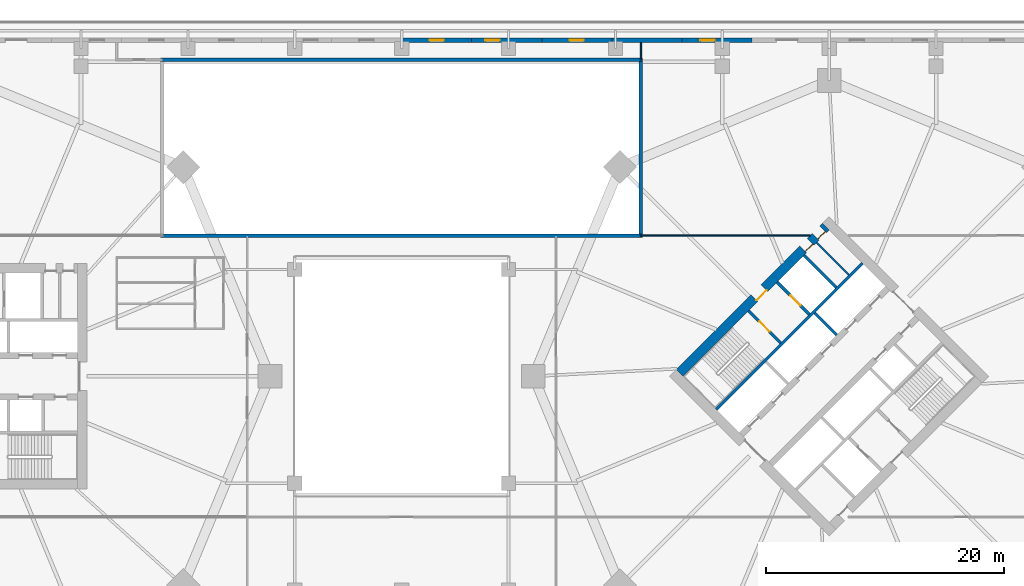
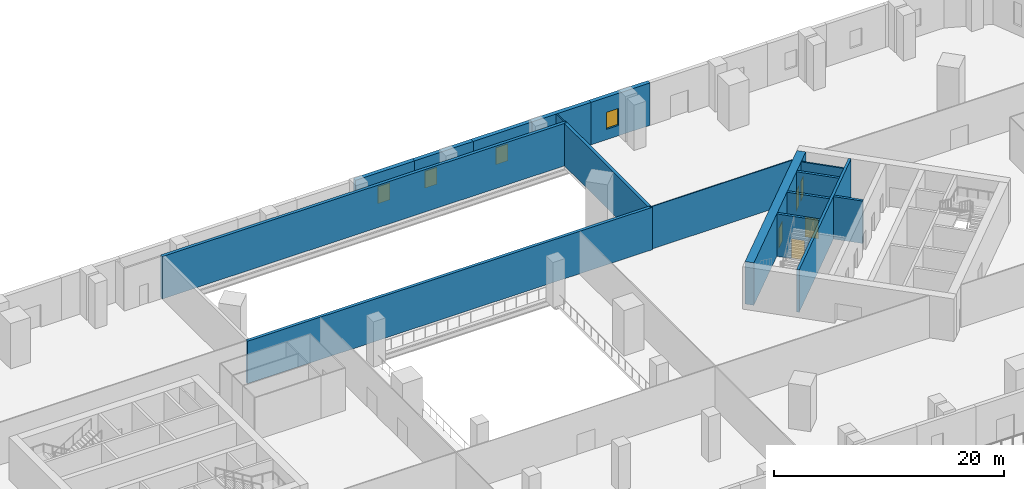
# One storey, part 10 of 17: 17 walls, 5 doors, 4 windows, 9 openings.
"""IFC4 building model written with IfcOpenShell, lengths in metres."""

import ifcopenshell
import ifcopenshell.guid

model = None  # the IFC model being written
_history = None  # IfcOwnerHistory: only IFC2X3 demands one
_inside = {}  # id of a spatial element -> (the spatial element, [elements in it])
_under = {}  # id of a project, library or spatial element -> (it, [spatial elements below it])
_declared = {}  # id of a project -> (the project, [libraries it declares])
_typed = {}  # id of a type object -> (the type object, [elements of that type])
_made_of = {}  # id of a material, layer set ... -> (it, [elements and type objects made of it])


def new_model(schema):
    """Start an empty IFC model of exactly this schema.

    Asked for "IFC4X3", IfcOpenShell would pick the latest addendum, in which some entities
    have other attributes; the version numbers below select the first issue.
    IFC2X3 requires an IfcOwnerHistory on every rooted entity: one is made here for all.
    """
    global model, _history
    if schema == "IFC4X3":
        model = ifcopenshell.file(schema_version=(4, 3, 0, 0))
    else:
        model = ifcopenshell.file(schema=schema)
    _inside.clear()
    _under.clear()
    _declared.clear()
    _typed.clear()
    _made_of.clear()
    _history = None
    if model.schema == "IFC2X3":
        org = make("IfcOrganization", Name="unknown")
        user = make(
            "IfcPersonAndOrganization",
            ThePerson=make("IfcPerson", FamilyName="unknown"),
            TheOrganization=org,
        )
        app = make(
            "IfcApplication",
            ApplicationDeveloper=org,
            Version="unknown",
            ApplicationFullName="unknown",
            ApplicationIdentifier="unknown",
        )
        _history = make(
            "IfcOwnerHistory",
            OwningUser=user,
            OwningApplication=app,
            ChangeAction="ADDED",
            CreationDate=0,
        )
    return model


def make(cls, **values):
    """One entity of the class cls with the attributes given. An attribute that is None is left unset."""
    return model.create_entity(
        cls, **{name: value for name, value in values.items() if value is not None}
    )


def rooted(cls, **values):
    """An entity with a GlobalId (a new one), such as an element, a storey or a relation."""
    return make(cls, GlobalId=ifcopenshell.guid.new(), OwnerHistory=_history, **values)


def si_unit(unit_type, name, prefix=None):
    """IfcSIUnit, for example si_unit("LENGTHUNIT", "METRE", prefix="MILLI")."""
    return make("IfcSIUnit", UnitType=unit_type, Prefix=prefix, Name=name)


def assignment(units):
    """IfcUnitAssignment: the units of a project."""
    return None if units is None else make("IfcUnitAssignment", Units=units)


def point(xyz):
    """IfcCartesianPoint."""
    return None if xyz is None else make("IfcCartesianPoint", Coordinates=xyz)


def direction(xyz):
    """IfcDirection."""
    return None if xyz is None else make("IfcDirection", DirectionRatios=xyz)


def frame(location, z_axis=None, x_axis=None):
    """IfcAxis2Placement3D, a coordinate frame: its origin and axes. An axis left out is left unset."""
    return make(
        "IfcAxis2Placement3D",
        Location=point(location),
        Axis=direction(z_axis),
        RefDirection=direction(x_axis),
    )


def frame_2d(location, x_axis=None):
    """IfcAxis2Placement2D, a coordinate frame in the plane: its origin and x axis."""
    return make(
        "IfcAxis2Placement2D", Location=point(location), RefDirection=direction(x_axis)
    )


def origin():
    """The frame at (0, 0, 0) with its axes left unset."""
    return frame((0.0, 0.0, 0.0))


def place(relative_to, where):
    """IfcLocalPlacement: puts the frame where relative to a parent placement (None: the world)."""
    return make(
        "IfcLocalPlacement", PlacementRelTo=relative_to, RelativePlacement=where
    )


def context(
    kind, dimensions, precision=None, world=None, true_north=None, identifier=None
):
    """IfcGeometricRepresentationContext, for example the 3D "Model" context."""
    return make(
        "IfcGeometricRepresentationContext",
        ContextIdentifier=identifier,
        ContextType=kind,
        CoordinateSpaceDimension=dimensions,
        Precision=precision,
        WorldCoordinateSystem=world,
        TrueNorth=true_north,
    )


def subcontext(parent, identifier, kind, view, scale=None):
    """IfcGeometricRepresentationSubContext, for example "Body" below "Model"."""
    return make(
        "IfcGeometricRepresentationSubContext",
        ContextIdentifier=identifier,
        ContextType=kind,
        ParentContext=parent,
        TargetScale=scale,
        TargetView=view,
    )


def project(units=None, contexts=None):
    """IfcProject with its units and contexts."""
    return rooted(
        "IfcProject",
        Name="project",
        RepresentationContexts=contexts,
        UnitsInContext=assignment(units),
    )


def spatial(cls, under=None, at=None, **own):
    """A site, building, storey or space (cls), placed at a placement, below another one or the project."""
    s = rooted(cls, ObjectPlacement=at, **own)
    if under is not None:
        _under.setdefault(under.id(), (under, []))[1].append(s)
    return s


def profile(cls, at=None, kind="AREA", **sizes):
    """A parametric profile (cls). Its sizes go by their IFC names, for example OverallWidth=200.0."""
    return make(cls, ProfileType=kind, Position=at, **sizes)


def rectangle(**sizes):
    """IfcRectangleProfileDef."""
    return profile("IfcRectangleProfileDef", **sizes)


def extrude(swept, where, along, depth):
    """IfcExtrudedAreaSolid: the profile swept, set in the frame where, extruded along a direction by depth."""
    return make(
        "IfcExtrudedAreaSolid",
        SweptArea=swept,
        Position=where,
        ExtrudedDirection=direction(along),
        Depth=depth,
    )


def shape(context_of_items, identifier, shape_type, items):
    """IfcShapeRepresentation: the items that make up one representation, for example the "Body"."""
    return make(
        "IfcShapeRepresentation",
        ContextOfItems=context_of_items,
        RepresentationIdentifier=identifier,
        RepresentationType=shape_type,
        Items=items,
    )


def material(Name=None, Category=None):
    """IfcMaterial."""
    return make("IfcMaterial", Name=Name, Category=Category)


def layer(
    of_material, thickness, ventilated=None, Name=None, Category=None, Priority=None
):
    """IfcMaterialLayer: one layer of a wall or slab, of a material (None: an air gap)."""
    return make(
        "IfcMaterialLayer",
        Material=of_material,
        LayerThickness=thickness,
        IsVentilated=ventilated,
        Name=Name,
        Category=Category,
        Priority=Priority,
    )


def layer_set(layers, Name=None):
    """IfcMaterialLayerSet."""
    return make("IfcMaterialLayerSet", MaterialLayers=layers, LayerSetName=Name)


def made_of(thing, what):
    """Note that an element or type object is made of a material, layer set ...; save() writes the relation."""
    if what is not None:
        _made_of.setdefault(what.id(), (what, []))[1].append(thing)
    return thing


def type_object(cls, material=None, **own):
    """A type object (cls), such as IfcWallType, which elements share."""
    return made_of(rooted(cls, **own), material)


def element(
    cls,
    number,
    at=None,
    inside=None,
    cuts=None,
    type_object=None,
    material=None,
    context=None,
    identifier="Body",
    shape_type=None,
    held_by="IfcProductDefinitionShape",
    body=None,
    shapes=None,
    **own,
):
    """One element of the class cls, such as IfcWall. Its Tag is "e" and its number.

    at: its placement. inside: the storey or other place that contains it. cuts: it is an
    opening in that element (IfcRelVoidsElement). A single representation is given by context,
    identifier, shape_type and body (its items); several are given by shapes. held_by: the class
    of the entity that holds the representations. save() writes the other relations.
    """
    e = rooted(cls, Tag="e%d" % number, ObjectPlacement=at, **own)
    if body is not None:
        shapes = [shape(context, identifier, shape_type, body)]
    if shapes is not None:
        e.Representation = make(held_by, Representations=shapes)
    if inside is not None:
        _inside.setdefault(inside.id(), (inside, []))[1].append(e)
    if cuts is not None:
        rooted(
            "IfcRelVoidsElement", RelatingBuildingElement=cuts, RelatedOpeningElement=e
        )
    if type_object is not None:
        _typed.setdefault(type_object.id(), (type_object, []))[1].append(e)
    return made_of(e, material)


def fill(opening, filler):
    """IfcRelFillsElement: the door or window that sits in an opening."""
    return rooted(
        "IfcRelFillsElement",
        RelatingOpeningElement=opening,
        RelatedBuildingElement=filler,
    )


def aggregate(whole, parts):
    """IfcRelAggregates: a whole, such as a stair, and the parts it consists of."""
    return rooted("IfcRelAggregates", RelatingObject=whole, RelatedObjects=parts)


def save(model, path):
    """Write the relations noted so far, then the file.

    IfcRelAggregates (storeys below a building ...), IfcRelContainedInSpatialStructure (elements
    in a storey), IfcRelDefinesByType, IfcRelAssociatesMaterial and IfcRelDeclares: one each for
    every whole, place, type object, material and project.
    """
    for whole, parts in _under.values():
        aggregate(whole, parts)
    for where, things in _inside.values():
        rooted(
            "IfcRelContainedInSpatialStructure",
            RelatedElements=things,
            RelatingStructure=where,
        )
    for kind, things in _typed.values():
        rooted("IfcRelDefinesByType", RelatedObjects=things, RelatingType=kind)
    for what, things in _made_of.values():
        rooted("IfcRelAssociatesMaterial", RelatedObjects=things, RelatingMaterial=what)
    for by, libraries in _declared.values():
        rooted("IfcRelDeclares", RelatingContext=by, RelatedDefinitions=libraries)
    model.write(path)


model = new_model("IFC4")

# Units and contexts
model_context = context("Model", 3, precision=1e-05, world=origin(), true_north=direction((0.0, 1.0)))
body_context = subcontext(model_context, "Body", "Model", "MODEL_VIEW")
ifc_project = project(units=[si_unit("LENGTHUNIT", "METRE"), si_unit("AREAUNIT", "SQUARE_METRE"), si_unit("VOLUMEUNIT", "CUBIC_METRE"), si_unit("PLANEANGLEUNIT", "RADIAN"), si_unit("MASSUNIT", "GRAM", prefix="KILO")], contexts=[model_context])

# Site, building, storey
site_placement = place(None, origin())
site = spatial("IfcSite", under=ifc_project, at=site_placement, CompositionType="ELEMENT")
building_placement = place(site_placement, origin())
building = spatial("IfcBuilding", under=site, at=building_placement, Name="Ogive Gate Towers", CompositionType="ELEMENT")
storey_placement = place(building_placement, frame((0.0, 0.0, 18.0)))
storey = spatial("IfcBuildingStorey", under=building, at=storey_placement, Name="L03", CompositionType="ELEMENT", Elevation=18.0)

# Wall, openings, doors
ifc_material_1 = material(Name="Concrete C60/75", Category="concrete")
ifc_layer_1 = layer(ifc_material_1, 0.800048828125)
ifc_layer_set_1 = layer_set([ifc_layer_1], Name="Core wall 800 mm")
wall_type_1 = type_object("IfcWallType", Name="Core wall 800 mm", PredefinedType="SHEAR", material=ifc_layer_set_1)
wall_1_placement = place(storey_placement, frame((23.41357421875, 0.28271484375, 0.0), z_axis=(0.0, 0.0, 1.0), x_axis=(0.707106781187, 0.707106781187, 0.0)))
wall_1 = element("IfcWall", 1, at=wall_1_placement, inside=storey, type_object=wall_type_1, Name="T2 L03 Core wall 800 mm", PredefinedType="SHEAR", context=body_context, shape_type="SweptSolid", body=[
    extrude(rectangle(XDim=17.400146484375, YDim=0.800048828125, at=frame_2d((8.7001953125, 0.0))), origin(), (0.0, 0.0, 1.0), 4.5),
])
opening_1_placement = place(wall_1_placement, frame((8.89990234375, 0.0, 0.0)))
opening_1 = element("IfcOpeningElement", 2, at=opening_1_placement, cuts=wall_1, Name="Opening KD-T2-L03-15", PredefinedType="OPENING", context=body_context, shape_type="SweptSolid", body=[
    extrude(rectangle(XDim=1.199951171875, YDim=2.10009765625, at=frame_2d((0.60009765625, 1.050048828125))), frame((0.0, 0.41015625, 0.0), z_axis=(0.0, -1.0, 0.0), x_axis=(1.0, 0.0, 0.0)), (0.0, 0.0, 1.0), 0.820068359375),
])
opening_2_placement = place(wall_1_placement, frame((14.699951171875, 0.0, 0.0)))
opening_2 = element("IfcOpeningElement", 3, at=opening_2_placement, cuts=wall_1, Name="Opening KD-T2-L03-17", PredefinedType="OPENING", context=body_context, shape_type="SweptSolid", body=[
    extrude(rectangle(XDim=0.89990234375, YDim=2.10009765625, at=frame_2d((0.449951171875, 1.050048828125))), frame((0.0, 0.41015625, 0.0), z_axis=(0.0, -1.0, 0.0), x_axis=(1.0, 0.0, 0.0)), (0.0, 0.0, 1.0), 0.820068359375),
])
opening_3_placement = place(wall_1_placement, frame((16.199951171875, 0.0, 0.0)))
opening_3 = element("IfcOpeningElement", 4, at=opening_3_placement, cuts=wall_1, Name="Opening KD-T2-L03-18", PredefinedType="OPENING", context=body_context, shape_type="SweptSolid", body=[
    extrude(rectangle(XDim=0.89990234375, YDim=2.10009765625, at=frame_2d((0.449951171875, 1.050048828125))), frame((0.0, 0.41015625, 0.0), z_axis=(0.0, -1.0, 0.0), x_axis=(1.0, 0.0, 0.0)), (0.0, 0.0, 1.0), 0.820068359375),
])
ifc_material_2 = material(Name="Timber door", Category="wood")
door_type_1 = type_object("IfcDoorType", Name="Core WC door 900 x 2100", OperationType="NOTDEFINED", PredefinedType="DOOR", material=ifc_material_2)
door_1_placement = place(opening_2_placement, origin())
door_1 = element("IfcDoor", 5, at=door_1_placement, inside=storey, type_object=door_type_1, Name="T2 L03 Core door", OperationType="SINGLE_SWING_RIGHT", OverallHeight=2.10009765625, OverallWidth=0.89990234375, PredefinedType="DOOR", context=body_context, shape_type="SweptSolid", body=[
    extrude(rectangle(XDim=0.89990234375, YDim=2.10009765625, at=frame_2d((0.449951171875, 1.050048828125))), frame((0.0, -0.22509765625, 0.0), z_axis=(0.0, -1.0, 0.0), x_axis=(1.0, 0.0, 0.0)), (0.0, 0.0, 1.0), 0.050048828125),
])
fill(opening_2, door_1)
door_2_placement = place(opening_3_placement, origin())
door_2 = element("IfcDoor", 6, at=door_2_placement, inside=storey, type_object=door_type_1, Name="T2 L03 Core door", OperationType="SINGLE_SWING_LEFT", OverallHeight=2.10009765625, OverallWidth=0.89990234375, PredefinedType="DOOR", context=body_context, shape_type="SweptSolid", body=[
    extrude(rectangle(XDim=0.89990234375, YDim=2.10009765625, at=frame_2d((0.449951171875, 1.050048828125))), frame((0.0, -0.22509765625, 0.0), z_axis=(0.0, -1.0, 0.0), x_axis=(1.0, 0.0, 0.0)), (0.0, 0.0, 1.0), 0.050048828125),
])
fill(opening_3, door_2)
ifc_material_3 = material(Name="Steel fire door", Category="steel")
door_type_2 = type_object("IfcDoorType", Name="Core door FD60S 1200 x 2100", OperationType="NOTDEFINED", PredefinedType="DOOR", material=ifc_material_3)
door_3_placement = place(opening_1_placement, origin())
door_3 = element("IfcDoor", 7, at=door_3_placement, inside=storey, type_object=door_type_2, Name="T2 L03 Fire-fighting lobby door", OperationType="SINGLE_SWING_RIGHT", OverallHeight=2.10009765625, OverallWidth=1.199951171875, PredefinedType="DOOR", context=body_context, shape_type="SweptSolid", body=[
    extrude(rectangle(XDim=1.199951171875, YDim=2.10009765625, at=frame_2d((0.60009765625, 1.050048828125))), frame((0.0, -0.22509765625, 0.0), z_axis=(0.0, -1.0, 0.0), x_axis=(1.0, 0.0, 0.0)), (0.0, 0.0, 1.0), 0.050048828125),
])
fill(opening_1, door_3)

# Walls
ifc_material_4 = material(Name="Gypsum board partition")
ifc_layer_2 = layer(ifc_material_4, 0.10009765625)
ifc_layer_set_2 = layer_set([ifc_layer_2], Name="Partition wall 100")
wall_type_2 = type_object("IfcWallType", Name="Partition wall 100", PredefinedType="PARTITIONING", material=ifc_layer_set_2)
wall_2_placement = place(storey_placement, frame((20.14990234375, 26.64990234375, 0.0), z_axis=(0.0, 0.0, 1.0), x_axis=(0.0, 1.0, 0.0)))
element("IfcWall", 8, at=wall_2_placement, inside=storey, type_object=wall_type_2, Name="L03 partition 019", PredefinedType="PARTITIONING", context=body_context, shape_type="SweptSolid", body=[
    extrude(rectangle(XDim=1.4501953125, YDim=0.10009765625, at=frame_2d((0.72509765625, 0.0))), origin(), (0.0, 0.0, 1.0), 4.5),
])
wall_3_placement = place(storey_placement, frame((20.10009765625, 11.85009765625, 0.0), z_axis=(0.0, 0.0, 1.0), x_axis=(1.0, 0.0, 0.0)))
element("IfcWall", 9, at=wall_3_placement, inside=storey, type_object=wall_type_2, Name="L03 partition 022", PredefinedType="PARTITIONING", context=body_context, shape_type="SweptSolid", body=[
    extrude(rectangle(XDim=14.31494140625, YDim=0.10009765625, at=frame_2d((7.157470703125, 0.0))), origin(), (0.0, 0.0, 1.0), 4.5),
])
ifc_material_5 = material(Name="Acoustic masonry wall", Category="masonry")
ifc_layer_3 = layer(ifc_material_5, 0.300048828125)
ifc_layer_set_3 = layer_set([ifc_layer_3], Name="Partition wall 300")
wall_type_3 = type_object("IfcWallType", Name="Partition wall 300", PredefinedType="PARTITIONING", material=ifc_layer_set_3)
for number, where, z_axis, x_axis, name in (
    (10, (-20.300048828125, 11.85009765625, 0.0), (0.0, 0.0, 1.0), (1.0, 0.0, 0.0), "L03 wall 052"),
    (11, (-20.300048828125, 26.64990234375, 0.0), (0.0, 0.0, 1.0), (1.0, 0.0, 0.0), "L03 wall 053"),
):
    element("IfcWall", number, at=place(storey_placement, frame(where, z_axis=z_axis, x_axis=x_axis)), inside=storey, type_object=wall_type_3, Name=name, PredefinedType="PARTITIONING", context=body_context, shape_type="SweptSolid", body=[
        extrude(rectangle(XDim=40.60009765625, YDim=0.300048828125, at=frame_2d((20.300048828125, 0.0))), origin(), (0.0, 0.0, 1.0), 4.5),
    ])
wall_4_placement = place(storey_placement, frame((20.14990234375, 12.0, 0.0), z_axis=(0.0, 0.0, 1.0), x_axis=(0.0, 1.0, 0.0)))
element("IfcWall", 12, at=wall_4_placement, inside=storey, type_object=wall_type_3, Name="L03 wall 055", PredefinedType="PARTITIONING", context=body_context, shape_type="SweptSolid", body=[
    extrude(rectangle(XDim=14.5, YDim=0.300048828125, at=frame_2d((7.25, 0.0))), origin(), (0.0, 0.0, 1.0), 4.5),
])

# Wall, opening, window
ifc_material_6 = material(Name="Precast concrete C40/50", Category="concrete")
ifc_layer_4 = layer(ifc_material_6, 0.39990234375)
ifc_layer_set_4 = layer_set([ifc_layer_4], Name="Podium wall 400")
wall_type_4 = type_object("IfcWallType", Name="Podium wall 400", PredefinedType="SOLIDWALL", material=ifc_layer_set_4)
wall_5_placement = place(storey_placement, frame((29.5, 28.300048828125, 0.0), z_axis=(0.0, 0.0, 1.0), x_axis=(-1.0, 0.0, 0.0)))
wall_5 = element("IfcWall", 13, at=wall_5_placement, inside=storey, type_object=wall_type_4, Name="Podium wall", PredefinedType="SOLIDWALL", context=body_context, shape_type="SweptSolid", body=[
    extrude(rectangle(XDim=5.89990234375, YDim=0.39990234375, at=frame_2d((2.949951171875, 0.0))), origin(), (0.0, 0.0, 1.0), 4.5),
])
opening_4_placement = place(wall_5_placement, frame((3.14990234375, 0.0, 1.10009765625)))
opening_4 = element("IfcOpeningElement", 14, at=opening_4_placement, cuts=wall_5, Name="Opening WN3", PredefinedType="OPENING", context=body_context, shape_type="SweptSolid", body=[
    extrude(rectangle(XDim=1.199951171875, YDim=1.800048828125, at=frame_2d((0.60009765625, 0.89990234375))), frame((0.0, 0.2099609375, 0.0), z_axis=(0.0, -1.0, 0.0), x_axis=(1.0, 0.0, 0.0)), (0.0, 0.0, 1.0), 0.419921875),
])
ifc_material_7 = material(Name="Clear glass", Category="glass")
window_type = type_object("IfcWindowType", Name="Podium window 1200 x 1800", PartitioningType="SINGLE_PANEL", PredefinedType="WINDOW", material=ifc_material_7)
window_1_placement = place(opening_4_placement, origin())
window_1 = element("IfcWindow", 15, at=window_1_placement, inside=storey, type_object=window_type, Name="Podium window", OverallHeight=1.800048828125, OverallWidth=1.199951171875, PartitioningType="SINGLE_PANEL", PredefinedType="WINDOW", context=body_context, shape_type="SweptSolid", body=[
    extrude(rectangle(XDim=1.199951171875, YDim=1.800048828125, at=frame_2d((0.60009765625, 0.89990234375))), frame((0.0, 0.030029296875, 0.0), z_axis=(0.0, -1.0, 0.0), x_axis=(1.0, 0.0, 0.0)), (0.0, 0.0, 1.0), 0.06005859375),
])
fill(opening_4, window_1)

# Wall
wall_6_placement = place(storey_placement, frame((23.60009765625, 28.300048828125, 0.0), z_axis=(0.0, 0.0, 1.0), x_axis=(-1.0, 0.0, 0.0)))
element("IfcWall", 16, at=wall_6_placement, inside=storey, type_object=wall_type_4, Name="Podium wall", PredefinedType="SOLIDWALL", context=body_context, shape_type="SweptSolid", body=[
    extrude(rectangle(XDim=5.900146484375, YDim=0.39990234375, at=frame_2d((2.9501953125, 0.0))), origin(), (0.0, 0.0, 1.0), 4.5),
])

# Wall, opening, window
wall_7_placement = place(storey_placement, frame((17.699951171875, 28.300048828125, 0.0), z_axis=(0.0, 0.0, 1.0), x_axis=(-1.0, 0.0, 0.0)))
wall_7 = element("IfcWall", 17, at=wall_7_placement, inside=storey, type_object=wall_type_4, Name="Podium wall", PredefinedType="SOLIDWALL", context=body_context, shape_type="SweptSolid", body=[
    extrude(rectangle(XDim=5.89990234375, YDim=0.39990234375, at=frame_2d((2.949951171875, 0.0))), origin(), (0.0, 0.0, 1.0), 4.5),
])
opening_5_placement = place(wall_7_placement, frame((2.35009765625, 0.0, 1.10009765625)))
opening_5 = element("IfcOpeningElement", 18, at=opening_5_placement, cuts=wall_7, Name="Opening WN3", PredefinedType="OPENING", context=body_context, shape_type="SweptSolid", body=[
    extrude(rectangle(XDim=1.199951171875, YDim=1.800048828125, at=frame_2d((0.60009765625, 0.89990234375))), frame((0.0, 0.2099609375, 0.0), z_axis=(0.0, -1.0, 0.0), x_axis=(1.0, 0.0, 0.0)), (0.0, 0.0, 1.0), 0.419921875),
])
window_2_placement = place(opening_5_placement, origin())
window_2 = element("IfcWindow", 19, at=window_2_placement, inside=storey, type_object=window_type, Name="Podium window", OverallHeight=1.800048828125, OverallWidth=1.199951171875, PartitioningType="SINGLE_PANEL", PredefinedType="WINDOW", context=body_context, shape_type="SweptSolid", body=[
    extrude(rectangle(XDim=1.199951171875, YDim=1.800048828125, at=frame_2d((0.60009765625, 0.89990234375))), frame((0.0, 0.030029296875, 0.0), z_axis=(0.0, -1.0, 0.0), x_axis=(1.0, 0.0, 0.0)), (0.0, 0.0, 1.0), 0.06005859375),
])
fill(opening_5, window_2)

wall_8_placement = place(storey_placement, frame((11.800048828125, 28.300048828125, 0.0), z_axis=(0.0, 0.0, 1.0), x_axis=(-1.0, 0.0, 0.0)))
wall_8 = element("IfcWall", 20, at=wall_8_placement, inside=storey, type_object=wall_type_4, Name="Podium wall", PredefinedType="SOLIDWALL", context=body_context, shape_type="SweptSolid", body=[
    extrude(rectangle(XDim=5.900146484375, YDim=0.39990234375, at=frame_2d((2.9501953125, 0.0))), origin(), (0.0, 0.0, 1.0), 4.5),
])
opening_6_placement = place(wall_8_placement, frame((3.550048828125, 0.0, 1.10009765625)))
opening_6 = element("IfcOpeningElement", 21, at=opening_6_placement, cuts=wall_8, Name="Opening WN3", PredefinedType="OPENING", context=body_context, shape_type="SweptSolid", body=[
    extrude(rectangle(XDim=1.199951171875, YDim=1.800048828125, at=frame_2d((0.60009765625, 0.89990234375))), frame((0.0, 0.2099609375, 0.0), z_axis=(0.0, -1.0, 0.0), x_axis=(1.0, 0.0, 0.0)), (0.0, 0.0, 1.0), 0.419921875),
])
window_3_placement = place(opening_6_placement, origin())
window_3 = element("IfcWindow", 22, at=window_3_placement, inside=storey, type_object=window_type, Name="Podium window", OverallHeight=1.800048828125, OverallWidth=1.199951171875, PartitioningType="SINGLE_PANEL", PredefinedType="WINDOW", context=body_context, shape_type="SweptSolid", body=[
    extrude(rectangle(XDim=1.199951171875, YDim=1.800048828125, at=frame_2d((0.60009765625, 0.89990234375))), frame((0.0, 0.030029296875, 0.0), z_axis=(0.0, -1.0, 0.0), x_axis=(1.0, 0.0, 0.0)), (0.0, 0.0, 1.0), 0.06005859375),
])
fill(opening_6, window_3)

wall_9_placement = place(storey_placement, frame((5.89990234375, 28.300048828125, 0.0), z_axis=(0.0, 0.0, 1.0), x_axis=(-1.0, 0.0, 0.0)))
wall_9 = element("IfcWall", 23, at=wall_9_placement, inside=storey, type_object=wall_type_4, Name="Podium wall", PredefinedType="SOLIDWALL", context=body_context, shape_type="SweptSolid", body=[
    extrude(rectangle(XDim=5.89990234375, YDim=0.39990234375, at=frame_2d((2.949951171875, 0.0))), origin(), (0.0, 0.0, 1.0), 4.5),
])
opening_7_placement = place(wall_9_placement, frame((2.35009765625, 0.0, 1.10009765625)))
opening_7 = element("IfcOpeningElement", 24, at=opening_7_placement, cuts=wall_9, Name="Opening WN3", PredefinedType="OPENING", context=body_context, shape_type="SweptSolid", body=[
    extrude(rectangle(XDim=1.199951171875, YDim=1.800048828125, at=frame_2d((0.60009765625, 0.89990234375))), frame((0.0, 0.2099609375, 0.0), z_axis=(0.0, -1.0, 0.0), x_axis=(1.0, 0.0, 0.0)), (0.0, 0.0, 1.0), 0.419921875),
])
window_4_placement = place(opening_7_placement, origin())
window_4 = element("IfcWindow", 25, at=window_4_placement, inside=storey, type_object=window_type, Name="Podium window", OverallHeight=1.800048828125, OverallWidth=1.199951171875, PartitioningType="SINGLE_PANEL", PredefinedType="WINDOW", context=body_context, shape_type="SweptSolid", body=[
    extrude(rectangle(XDim=1.199951171875, YDim=1.800048828125, at=frame_2d((0.60009765625, 0.89990234375))), frame((0.0, 0.030029296875, 0.0), z_axis=(0.0, -1.0, 0.0), x_axis=(1.0, 0.0, 0.0)), (0.0, 0.0, 1.0), 0.06005859375),
])
fill(opening_7, window_4)

# Walls
ifc_layer_5 = layer(ifc_material_4, 0.14990234375)
ifc_layer_set_5 = layer_set([ifc_layer_5], Name="Room partition 150 mm")
wall_type_5 = type_object("IfcWallType", Name="Room partition 150 mm", PredefinedType="PARTITIONING", material=ifc_layer_set_5)
wall_10_placement = place(storey_placement, frame((37.64404296875, 8.538330078125, 0.0), z_axis=(0.0, 0.0, 1.0), x_axis=(-0.707138693938, 0.707074866995, 0.0)))
element("IfcWall", 26, at=wall_10_placement, inside=storey, type_object=wall_type_5, Name="T2 L03 Room partition 150 mm", PredefinedType="PARTITIONING", context=body_context, shape_type="SweptSolid", body=[
    extrude(rectangle(XDim=3.824951171875, YDim=0.14990234375, at=frame_2d((1.91259765625, 0.0))), origin(), (0.0, 0.0, 1.0), 4.5),
])
ifc_layer_6 = layer(ifc_material_1, 0.25)
ifc_layer_set_6 = layer_set([ifc_layer_6], Name="Shaft wall 250 mm")
wall_type_6 = type_object("IfcWallType", Name="Shaft wall 250 mm", PredefinedType="SHEAR", material=ifc_layer_set_6)
wall_11_placement = place(storey_placement, frame((26.489501953125, -2.793212890625, 0.0), z_axis=(0.0, 0.0, 1.0), x_axis=(0.707106781187, 0.707106781187, 0.0)))
element("IfcWall", 27, at=wall_11_placement, inside=storey, type_object=wall_type_6, Name="T2 L03 Shaft wall 250 mm", PredefinedType="SHEAR", context=body_context, shape_type="SweptSolid", body=[
    extrude(rectangle(XDim=17.400146484375, YDim=0.25, at=frame_2d((8.7001953125, 0.0))), origin(), (0.0, 0.0, 1.0), 4.5),
])

# Wall, opening, door
wall_12_placement = place(storey_placement, frame((31.91650390625, 2.810791015625, 0.0), z_axis=(0.0, 0.0, 1.0), x_axis=(-0.707106781187, 0.707106781187, 0.0)))
wall_12 = element("IfcWall", 28, at=wall_12_placement, inside=storey, type_object=wall_type_6, Name="T2 L03 Shaft wall 250 mm", PredefinedType="SHEAR", context=body_context, shape_type="SweptSolid", body=[
    extrude(rectangle(XDim=3.824951171875, YDim=0.25, at=frame_2d((1.91259765625, 0.0))), origin(), (0.0, 0.0, 1.0), 4.5),
])
opening_8_placement = place(wall_12_placement, frame((1.324951171875, 0.0, 0.0)))
opening_8 = element("IfcOpeningElement", 29, at=opening_8_placement, cuts=wall_12, Name="Opening KD-T2-L03-13", PredefinedType="OPENING", context=body_context, shape_type="SweptSolid", body=[
    extrude(rectangle(XDim=1.199951171875, YDim=2.10009765625, at=frame_2d((0.60009765625, 1.050048828125))), frame((0.0, 0.135009765625, 0.0), z_axis=(0.0, -1.0, 0.0), x_axis=(1.0, 0.0, 0.0)), (0.0, 0.0, 1.0), 0.27001953125),
])
door_4_placement = place(opening_8_placement, origin())
door_4 = element("IfcDoor", 30, at=door_4_placement, inside=storey, type_object=door_type_2, Name="T2 L03 Stair door", OperationType="SINGLE_SWING_RIGHT", OverallHeight=2.10009765625, OverallWidth=1.199951171875, PredefinedType="DOOR", context=body_context, shape_type="SweptSolid", body=[
    extrude(rectangle(XDim=1.199951171875, YDim=2.10009765625, at=frame_2d((0.60009765625, 1.050048828125))), frame((0.0, 0.02490234375, 0.0), z_axis=(0.0, -1.0, 0.0), x_axis=(1.0, 0.0, 0.0)), (0.0, 0.0, 1.0), 0.050048828125),
])
fill(opening_8, door_4)

wall_13_placement = place(storey_placement, frame((34.320556640625, 5.21484375, 0.0), z_axis=(0.0, 0.0, 1.0), x_axis=(-0.707074866995, 0.707138693938, 0.0)))
wall_13 = element("IfcWall", 31, at=wall_13_placement, inside=storey, type_object=wall_type_6, Name="T2 L03 Shaft wall 250 mm", PredefinedType="SHEAR", context=body_context, shape_type="SweptSolid", body=[
    extrude(rectangle(XDim=3.824951171875, YDim=0.25, at=frame_2d((1.91259765625, 0.0))), origin(), (0.0, 0.0, 1.0), 4.5),
])
opening_9_placement = place(wall_13_placement, frame((1.02490234375, 0.0, 0.0)))
opening_9 = element("IfcOpeningElement", 32, at=opening_9_placement, cuts=wall_13, Name="Opening LD-T2-L03-10", PredefinedType="OPENING", context=body_context, shape_type="SweptSolid", body=[
    extrude(rectangle(XDim=1.199951171875, YDim=2.10009765625, at=frame_2d((0.60009765625, 1.050048828125))), frame((0.0, 0.135009765625, 0.0), z_axis=(0.0, -1.0, 0.0), x_axis=(1.0, 0.0, 0.0)), (0.0, 0.0, 1.0), 0.27001953125),
])
ifc_material_8 = material(Name="Stainless steel landing door", Category="steel")
door_type_3 = type_object("IfcDoorType", Name="Landing door 1200 x 2100", OperationType="SLIDING_TO_LEFT", PredefinedType="DOOR", material=ifc_material_8)
door_5_placement = place(opening_9_placement, origin())
door_5 = element("IfcDoor", 33, at=door_5_placement, inside=storey, type_object=door_type_3, Name="T2 L03 Lift landing door FF1", OperationType="SLIDING_TO_LEFT", OverallHeight=2.10009765625, OverallWidth=1.199951171875, PredefinedType="DOOR", context=body_context, shape_type="SweptSolid", body=[
    extrude(rectangle(XDim=1.199951171875, YDim=2.10009765625, at=frame_2d((0.60009765625, 1.050048828125))), frame((0.0, 0.02490234375, 0.0), z_axis=(0.0, -1.0, 0.0), x_axis=(1.0, 0.0, 0.0)), (0.0, 0.0, 1.0), 0.050048828125),
])
fill(opening_9, door_5)

# Walls
wall_14_placement = place(storey_placement, frame((36.636474609375, 3.46484375, 0.0), z_axis=(0.0, 0.0, 1.0), x_axis=(-0.707106781187, 0.707106781187, 0.0)))
element("IfcWall", 34, at=wall_14_placement, inside=storey, type_object=wall_type_6, Name="T2 L03 Shaft wall 250 mm", PredefinedType="SHEAR", context=body_context, shape_type="SweptSolid", body=[
    extrude(rectangle(XDim=2.625, YDim=0.25, at=frame_2d((1.3125, 0.0))), origin(), (0.0, 0.0, 1.0), 4.5),
])
wall_15_placement = place(storey_placement, frame((36.58349609375, 7.477783203125, 0.0), z_axis=(0.0, 0.0, 1.0), x_axis=(-0.707138693938, 0.707074866995, 0.0)))
element("IfcWall", 35, at=wall_15_placement, inside=storey, type_object=wall_type_6, Name="T2 L03 Shaft wall 250 mm", PredefinedType="SHEAR", context=body_context, shape_type="SweptSolid", body=[
    extrude(rectangle(XDim=3.824951171875, YDim=0.25, at=frame_2d((1.91259765625, 0.0))), origin(), (0.0, 0.0, 1.0), 4.5),
])

save(model, "model.ifc")
